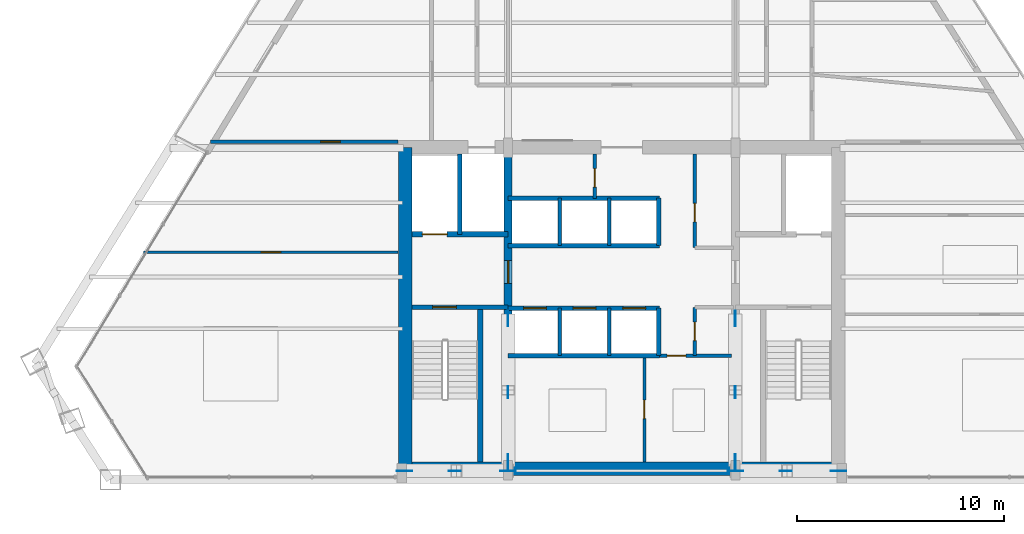
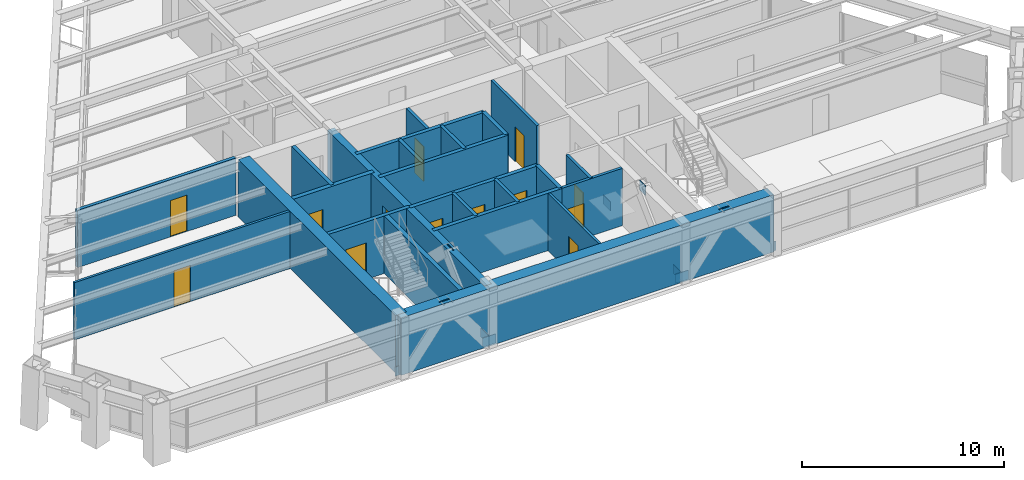
# One storey, part 8 of 12: 24 walls, 13 doors, 12 plates, 13 openings.
"""IFC4 building model written with IfcOpenShell, lengths in metres."""

from ifc_helpers import new_model, si_unit, direction, frame, frame_2d, origin, origin_2d, place, context, subcontext, project, spatial, rectangle, extrude, source, transform, mapped, material, layer, layer_set, type_object, type_shapes, element, fill, save


model = new_model("IFC4")

# Units and contexts
model_context = context("Model", 3, precision=1e-05, world=origin(), true_north=direction((0.0, 1.0)))
body_context = subcontext(model_context, "Body", "Model", "MODEL_VIEW")
ifc_project = project(units=[si_unit("LENGTHUNIT", "METRE"), si_unit("AREAUNIT", "SQUARE_METRE"), si_unit("VOLUMEUNIT", "CUBIC_METRE"), si_unit("PLANEANGLEUNIT", "RADIAN"), si_unit("MASSUNIT", "GRAM", prefix="KILO")], contexts=[model_context])

# Site, building, storey
site_placement = place(None, origin())
site = spatial("IfcSite", under=ifc_project, at=site_placement, CompositionType="ELEMENT")
building_placement = place(site_placement, origin())
building = spatial("IfcBuilding", under=site, at=building_placement, Name="Varnakhor Terracotta Tower", CompositionType="ELEMENT")
storey_placement = place(building_placement, frame((0.0, 0.0, 208.0)))
storey = spatial("IfcBuildingStorey", under=building, at=storey_placement, Name="L53", CompositionType="ELEMENT", Elevation=208.0)

# Plates
ifc_material_1 = material(Name="Steel S460", Category="steel")
ifc_layer_1 = layer(ifc_material_1, 0.050048828125, Name="Steel S460")
ifc_layer_set_1 = layer_set([ifc_layer_1], Name="Steel S460")
plate_type = type_object("IfcPlateType", Name="PLT-GUSSET-50", PredefinedType="USERDEFINED", material=ifc_layer_set_1)
shared_shape_1 = source(origin(), body_context, "Body", "SweptSolid", [
    extrude(rectangle(XDim=0.75, YDim=0.0400390625, at=origin_2d()), origin(), (0.0, 0.0, 1.0), 0.550048828125),
])
type_shapes(plate_type, [shared_shape_1])
for number, where, z_axis, x_axis, name in (
    (1, (-10.5, 0.419921875, -0.09521484375), (0.0, 0.0, 1.0), (1.0, 0.0, 0.0), "L53 Core Brace Embed Plate CSWA"),
    (2, (-5.5, 0.419921875, -0.09521484375), (0.0, 0.0, 1.0), (1.0, 0.0, 0.0), "L53 Core Brace Embed Plate CSWB"),
    (3, (5.5, 0.419921875, -0.09521484375), (0.0, 0.0, 1.0), (1.0, 0.0, 0.0), "L53 Core Brace Embed Plate CSEA"),
    (4, (10.5, 0.419921875, -0.09521484375), (0.0, 0.0, 1.0), (1.0, 0.0, 0.0), "L53 Core Brace Embed Plate CSEB"),
    (5, (-5.5, 0.85009765625, -0.09521484375), (0.0, 0.0, 1.0), (0.0, 1.0, 0.0), "L53 Core Brace Embed Plate CWWA"),
    (6, (-5.5, 7.800048828125, -0.09521484375), (0.0, 0.0, 1.0), (0.0, 1.0, 0.0), "L53 Core Brace Embed Plate CWWB"),
    (7, (5.5, 0.85009765625, -0.09521484375), (0.0, 0.0, 1.0), (0.0, 1.0, 0.0), "L53 Core Brace Embed Plate CWEA"),
    (8, (5.5, 7.800048828125, -0.09521484375), (0.0, 0.0, 1.0), (0.0, 1.0, 0.0), "L53 Core Brace Embed Plate CWEB"),
):
    element("IfcPlate", number, at=place(storey_placement, frame(where, z_axis=z_axis, x_axis=x_axis)), inside=storey, type_object=plate_type, Name=name, ObjectType="GUSSET PLATE", PredefinedType="USERDEFINED", context=body_context, shape_type="MappedRepresentation", body=[
        mapped(shared_shape_1, transform((0.0, 0.0, 0.0), scale=1.0)),
    ])
shared_shape_2 = source(origin(), body_context, "Body", "SweptSolid", [
    extrude(rectangle(XDim=0.580078125, YDim=0.0400390625, at=origin_2d()), origin(), (0.0, 0.0, 1.0), 0.580078125),
])
for number, where, z_axis, x_axis, name in (
    (9, (-8.072265625, 0.419921875, 2.93408203125), (0.0, 0.0, 1.0), (1.0, 0.0, 0.0), "L53 Brace End Connection Plate 192"),
    (10, (7.927734375, 0.419921875, 2.93408203125), (0.0, 0.0, 1.0), (1.0, 0.0, 0.0), "L53 Brace End Connection Plate 193"),
    (11, (-5.5, 4.23828125, 2.947021484375), (0.0, 0.0, 1.0), (0.0, 1.0, 0.0), "L53 Brace End Connection Plate 194"),
    (12, (5.5, 4.23828125, 2.947021484375), (0.0, 0.0, 1.0), (0.0, 1.0, 0.0), "L53 Brace End Connection Plate 195"),
):
    element("IfcPlate", number, at=place(storey_placement, frame(where, z_axis=z_axis, x_axis=x_axis)), inside=storey, type_object=plate_type, Name=name, ObjectType="GUSSET PLATE", PredefinedType="USERDEFINED", context=body_context, shape_type="MappedRepresentation", body=[
        mapped(shared_shape_2, transform((0.0, 0.0, 0.0), scale=1.0)),
    ])

# Walls
ifc_material_2 = material(Name="Concrete C50/60", Category="concrete")
ifc_layer_2 = layer(ifc_material_2, 0.64990234375, Name="Concrete C50/60")
ifc_layer_set_2 = layer_set([ifc_layer_2], Name="Concrete C50/60")
wall_type_1 = type_object("IfcWallType", Name="WAL-CORE-650", PredefinedType="SHEAR", material=ifc_layer_set_2)
wall_1_placement = place(storey_placement, frame((-10.64990234375, 0.52490234375, 0.0), z_axis=(0.0, 0.0, 1.0), x_axis=(1.0, 0.0, 0.0)))
element("IfcWall", 13, at=wall_1_placement, inside=storey, type_object=wall_type_1, Name="L53 South Core Shear Wall", PredefinedType="SHEAR", context=body_context, shape_type="SweptSolid", body=[
    extrude(rectangle(XDim=21.2998046875, YDim=0.64990234375, at=frame_2d((10.64990234375, 0.0))), origin(), (0.0, 0.0, 1.0), 3.469970703125),
])
wall_2_placement = place(storey_placement, frame((-10.47509765625, 0.52490234375, 0.0), z_axis=(0.0, 0.0, 1.0), x_axis=(0.0, 1.0, 0.0)))
element("IfcWall", 14, at=wall_2_placement, inside=storey, type_object=wall_type_1, Name="L53 West Core Shear Wall", PredefinedType="SHEAR", context=body_context, shape_type="SweptSolid", body=[
    extrude(rectangle(XDim=15.550048828125, YDim=0.64990234375, at=frame_2d((7.77490234375, 0.0))), origin(), (0.0, 0.0, 1.0), 3.469970703125),
])

# Wall, opening, door
ifc_layer_3 = layer(ifc_material_2, 0.39990234375, Name="Concrete C50/60")
ifc_layer_set_3 = layer_set([ifc_layer_3], Name="Concrete C50/60")
wall_type_2 = type_object("IfcWallType", Name="WAL-CORE-WEB-400", PredefinedType="SHEAR", material=ifc_layer_set_3)
wall_3_placement = place(storey_placement, frame((-5.5, 0.52490234375, 0.0), z_axis=(0.0, 0.0, 1.0), x_axis=(0.0, 1.0, 0.0)))
wall_3 = element("IfcWall", 15, at=wall_3_placement, inside=storey, type_object=wall_type_2, Name="L53 West Core Web Shear Wall", PredefinedType="SHEAR", context=body_context, shape_type="SweptSolid", body=[
    extrude(rectangle(XDim=15.550048828125, YDim=0.39990234375, at=frame_2d((7.77490234375, 0.0))), origin(), (0.0, 0.0, 1.0), 3.469970703125),
])
opening_1_placement = place(wall_3_placement, frame((8.97509765625, 0.0, 0.0)))
opening_1 = element("IfcOpeningElement", 16, at=opening_1_placement, cuts=wall_3, Name="Opening DR-25", PredefinedType="OPENING", context=body_context, shape_type="SweptSolid", body=[
    extrude(rectangle(XDim=1.10009765625, YDim=2.199951171875, at=frame_2d((0.550048828125, 1.10009765625))), frame((0.0, 0.2099609375, 0.0), z_axis=(0.0, -1.0, 0.0), x_axis=(1.0, 0.0, 0.0)), (0.0, 0.0, 1.0), 0.419921875),
])
ifc_material_3 = material(Name="Firefighting Lobby Self-Closing Fire Door", Category="steel")
door_type_1 = type_object("IfcDoorType", Name="DR-FFL-1100X2200", OperationType="NOTDEFINED", PredefinedType="DOOR", material=ifc_material_3)
shared_shape_3 = source(origin(), body_context, "Body", "SweptSolid", [
    extrude(rectangle(XDim=1.10009765625, YDim=2.199951171875, at=frame_2d((0.550048828125, 1.10009765625))), frame((0.0, 0.02490234375, 0.0), z_axis=(0.0, -1.0, 0.0), x_axis=(1.0, 0.0, 0.0)), (0.0, 0.0, 1.0), 0.050048828125),
])
type_shapes(door_type_1, [shared_shape_3])
door_1_placement = place(opening_1_placement, origin())
door_1 = element("IfcDoor", 17, at=door_1_placement, inside=storey, type_object=door_type_1, Name="L53 West Firefighting Lobby Door", OperationType="SINGLE_SWING_LEFT", OverallHeight=2.199951171875, OverallWidth=1.10009765625, PredefinedType="DOOR", context=body_context, shape_type="MappedRepresentation", body=[
    mapped(shared_shape_3, transform((0.0, 0.0, 0.0), scale=1.0)),
])
fill(opening_1, door_1)

ifc_material_4 = material(Name="Fire-Rated Gypsum Stud Partition", Category="gypsum")
ifc_layer_4 = layer(ifc_material_4, 0.18505859375, Name="Fire-Rated Gypsum Stud Partition")
ifc_layer_set_4 = layer_set([ifc_layer_4], Name="Fire-Rated Gypsum Stud Partition")
wall_type_3 = type_object("IfcWallType", Name="WAL-CORR-185", PredefinedType="PARTITIONING", material=ifc_layer_set_4)
wall_4_placement = place(storey_placement, frame((-19.88671875, 16.35009765625, 0.0), z_axis=(0.0, 0.0, 1.0), x_axis=(1.0, 0.0, 0.0)))
wall_4 = element("IfcWall", 18, at=wall_4_placement, inside=storey, type_object=wall_type_3, Name="L53 South West Entry Wall", PredefinedType="PARTITIONING", context=body_context, shape_type="SweptSolid", body=[
    extrude(rectangle(XDim=9.066650390625, YDim=0.18505859375, at=frame_2d((4.533203125, 0.0))), origin(), (0.0, 0.0, 1.0), 3.4619140625),
])
opening_2_placement = place(wall_4_placement, frame((5.31640625, 0.0, 0.0)))
opening_2 = element("IfcOpeningElement", 19, at=opening_2_placement, cuts=wall_4, Name="Opening DR-94", PredefinedType="OPENING", context=body_context, shape_type="SweptSolid", body=[
    extrude(rectangle(XDim=0.949951171875, YDim=2.199951171875, at=frame_2d((0.47509765625, 1.10009765625))), frame((0.0, 0.1025390625, 0.0), z_axis=(0.0, -1.0, 0.0), x_axis=(1.0, 0.0, 0.0)), (0.0, 0.0, 1.0), 0.205078125),
])
ifc_material_5 = material(Name="Acoustic Glazed-Vision Timber Office Door", Category="wood")
door_type_2 = type_object("IfcDoorType", Name="DR-OFF-950X2200", OperationType="NOTDEFINED", PredefinedType="DOOR", material=ifc_material_5)
shared_shape_4 = source(origin(), body_context, "Body", "SweptSolid", [
    extrude(rectangle(XDim=0.949951171875, YDim=2.199951171875, at=frame_2d((0.47509765625, 1.10009765625))), frame((0.0, 0.02490234375, 0.0), z_axis=(0.0, -1.0, 0.0), x_axis=(1.0, 0.0, 0.0)), (0.0, 0.0, 1.0), 0.050048828125),
])
type_shapes(door_type_2, [shared_shape_4])
door_2_placement = place(opening_2_placement, origin())
door_2 = element("IfcDoor", 20, at=door_2_placement, inside=storey, type_object=door_type_2, Name="L53 SW Suite Door", OperationType="SINGLE_SWING_RIGHT", OverallHeight=2.199951171875, OverallWidth=0.949951171875, PredefinedType="DOOR", context=body_context, shape_type="MappedRepresentation", body=[
    mapped(shared_shape_4, transform((0.0, 0.0, 0.0), scale=1.0)),
])
fill(opening_2, door_2)

ifc_material_6 = material(Name="Concrete C40/50", Category="concrete")
ifc_layer_5 = layer(ifc_material_6, 0.219970703125, Name="Concrete C40/50")
ifc_layer_set_5 = layer_set([ifc_layer_5], Name="Concrete C40/50")
wall_type_4 = type_object("IfcWallType", Name="WAL-FFLOBBY-220", PredefinedType="SOLIDWALL", material=ifc_layer_set_5)
wall_5_placement = place(storey_placement, frame((-5.5, 8.35009765625, 0.0), z_axis=(0.0, 0.0, 1.0), x_axis=(-1.0, 0.0, 0.0)))
wall_5 = element("IfcWall", 21, at=wall_5_placement, inside=storey, type_object=wall_type_4, Name="L53 West Firefighting Lobby Stair Wall", PredefinedType="SOLIDWALL", context=body_context, shape_type="SweptSolid", body=[
    extrude(rectangle(XDim=4.64990234375, YDim=0.219970703125, at=frame_2d((2.324951171875, 0.0))), origin(), (0.0, 0.0, 1.0), 3.469970703125),
])
opening_3_placement = place(wall_5_placement, frame((2.5, 0.0, 0.0)))
opening_3 = element("IfcOpeningElement", 22, at=opening_3_placement, cuts=wall_5, Name="Opening DR-34", PredefinedType="OPENING", context=body_context, shape_type="SweptSolid", body=[
    extrude(rectangle(XDim=1.14990234375, YDim=2.199951171875, at=frame_2d((0.574951171875, 1.10009765625))), frame((0.0, 0.1201171875, 0.0), z_axis=(0.0, -1.0, 0.0), x_axis=(1.0, 0.0, 0.0)), (0.0, 0.0, 1.0), 0.239990234375),
])
ifc_material_7 = material(Name="Self-Closing Smoke-Sealed Steel Fire Door", Category="steel")
door_type_3 = type_object("IfcDoorType", Name="DR-STAIR-1150X2200", OperationType="NOTDEFINED", PredefinedType="DOOR", material=ifc_material_7)
shared_shape_5 = source(origin(), body_context, "Body", "SweptSolid", [
    extrude(rectangle(XDim=1.14990234375, YDim=2.199951171875, at=frame_2d((0.574951171875, 1.10009765625))), frame((0.0, 0.02490234375, 0.0), z_axis=(0.0, -1.0, 0.0), x_axis=(1.0, 0.0, 0.0)), (0.0, 0.0, 1.0), 0.050048828125),
])
type_shapes(door_type_3, [shared_shape_5])
door_3_placement = place(opening_3_placement, origin())
door_3 = element("IfcDoor", 23, at=door_3_placement, inside=storey, type_object=door_type_3, Name="L53 Exit Stair ST-1 Fire Door", OperationType="SINGLE_SWING_RIGHT", OverallHeight=2.199951171875, OverallWidth=1.14990234375, PredefinedType="DOOR", context=body_context, shape_type="MappedRepresentation", body=[
    mapped(shared_shape_5, transform((0.0, 0.0, 0.0), scale=1.0)),
])
fill(opening_3, door_3)

ifc_material_8 = material(Name="Acoustic Metal-Stud Partition", Category="gypsum")
ifc_layer_6 = layer(ifc_material_8, 0.139892578125, Name="Acoustic Metal-Stud Partition")
ifc_layer_set_6 = layer_set([ifc_layer_6], Name="Acoustic Metal-Stud Partition")
wall_type_5 = type_object("IfcWallType", Name="WAL-PART-140", PredefinedType="PARTITIONING", material=ifc_layer_set_6)
wall_6_placement = place(storey_placement, frame((-23.134521484375, 11.0, 0.0), z_axis=(0.0, 0.0, 1.0), x_axis=(1.0, 0.0, 0.0)))
wall_6 = element("IfcWall", 24, at=wall_6_placement, inside=storey, type_object=wall_type_5, Name="L53 West Wing Cut 1", PredefinedType="PARTITIONING", context=body_context, shape_type="SweptSolid", body=[
    extrude(rectangle(XDim=12.314453125, YDim=0.139892578125, at=frame_2d((6.1572265625, 0.0))), origin(), (0.0, 0.0, 1.0), 3.4619140625),
])
opening_4_placement = place(wall_6_placement, frame((5.68701171875, 0.0, 0.0)))
opening_4 = element("IfcOpeningElement", 25, at=opening_4_placement, cuts=wall_6, Name="Opening DR-94", PredefinedType="OPENING", context=body_context, shape_type="SweptSolid", body=[
    extrude(rectangle(XDim=0.949951171875, YDim=2.199951171875, at=frame_2d((0.47509765625, 1.10009765625))), frame((0.0, 0.080078125, 0.0), z_axis=(0.0, -1.0, 0.0), x_axis=(1.0, 0.0, 0.0)), (0.0, 0.0, 1.0), 0.159912109375),
])
door_4_placement = place(opening_4_placement, origin())
door_4 = element("IfcDoor", 26, at=door_4_placement, inside=storey, type_object=door_type_2, Name="L53 Counsel Study Room Door", OperationType="SINGLE_SWING_RIGHT", OverallHeight=2.199951171875, OverallWidth=0.949951171875, PredefinedType="DOOR", context=body_context, shape_type="MappedRepresentation", body=[
    mapped(shared_shape_4, transform((0.0, 0.0, 0.0), scale=1.0)),
])
fill(opening_4, door_4)

# Walls
ifc_layer_7 = layer(ifc_material_6, 0.179931640625, Name="Concrete C40/50")
ifc_layer_set_7 = layer_set([ifc_layer_7], Name="Concrete C40/50")
wall_type_6 = type_object("IfcWallType", Name="WAL-SHAFT-180", PredefinedType="SOLIDWALL", material=ifc_layer_set_7)
for number, where, z_axis, x_axis, name in (
    (27, (-3.0, 6.0, 0.0), (0.0, 0.0, 1.0), (0.0, 1.0, 0.0), "L53 PL-2A Divider"),
    (28, (-0.60009765625, 6.0, 0.0), (0.0, 0.0, 1.0), (0.0, 1.0, 0.0), "L53 PL-2B Divider"),
    (29, (-3.0, 11.320068359375, 0.0), (0.0, 0.0, 1.0), (0.0, 1.0, 0.0), "L53 PL-3A Divider"),
    (30, (-0.60009765625, 11.320068359375, 0.0), (0.0, 0.0, 1.0), (0.0, 1.0, 0.0), "L53 PL-3B Divider"),
):
    element("IfcWall", number, at=place(storey_placement, frame(where, z_axis=z_axis, x_axis=x_axis)), inside=storey, type_object=wall_type_6, Name=name, PredefinedType="SOLIDWALL", context=body_context, shape_type="SweptSolid", body=[
        extrude(rectangle(XDim=2.300048828125, YDim=0.179931640625, at=frame_2d((1.14990234375, 0.0))), origin(), (0.0, 0.0, 1.0), 3.469970703125),
    ])
ifc_layer_8 = layer(ifc_material_6, 0.219970703125, Name="Concrete C40/50")
ifc_layer_set_8 = layer_set([ifc_layer_8], Name="Concrete C40/50")
wall_type_7 = type_object("IfcWallType", Name="WAL-SHAFT-220", PredefinedType="SOLIDWALL", material=ifc_layer_set_8)
wall_7_placement = place(storey_placement, frame((-7.840087890625, 11.8701171875, 0.0), z_axis=(0.0, 0.0, 1.0), x_axis=(0.0, 1.0, 0.0)))
element("IfcWall", 31, at=wall_7_placement, inside=storey, type_object=wall_type_7, Name="L53 Lift FFL-1 and SVL-1 Divider Wall", PredefinedType="SOLIDWALL", context=body_context, shape_type="SweptSolid", body=[
    extrude(rectangle(XDim=3.8798828125, YDim=0.219970703125, at=frame_2d((1.93994140625, 0.0))), origin(), (0.0, 0.0, 1.0), 3.469970703125),
])
wall_8_placement = place(storey_placement, frame((-5.5, 6.0, 0.0), z_axis=(0.0, 0.0, 1.0), x_axis=(1.0, 0.0, 0.0)))
element("IfcWall", 32, at=wall_8_placement, inside=storey, type_object=wall_type_7, Name="L53 Bank 2 South Shaft Wall", PredefinedType="SOLIDWALL", context=body_context, shape_type="SweptSolid", body=[
    extrude(rectangle(XDim=7.320068359375, YDim=0.219970703125, at=frame_2d((3.66015625, 0.0))), origin(), (0.0, 0.0, 1.0), 3.469970703125),
])

# Wall, openings, doors
wall_9_placement = place(storey_placement, frame((-5.5, 8.300048828125, 0.0), z_axis=(0.0, 0.0, 1.0), x_axis=(1.0, 0.0, 0.0)))
wall_9 = element("IfcWall", 33, at=wall_9_placement, inside=storey, type_object=wall_type_7, Name="L53 Bank 2 North Shaft Wall", PredefinedType="SOLIDWALL", context=body_context, shape_type="SweptSolid", body=[
    extrude(rectangle(XDim=7.320068359375, YDim=0.219970703125, at=frame_2d((3.66015625, 0.0))), origin(), (0.0, 0.0, 1.0), 3.469970703125),
])
opening_5_placement = place(wall_9_placement, frame((0.75, 0.0, 0.0)))
opening_5 = element("IfcOpeningElement", 34, at=opening_5_placement, cuts=wall_9, Name="Opening LD-01", PredefinedType="OPENING", context=body_context, shape_type="SweptSolid", body=[
    extrude(rectangle(XDim=1.10009765625, YDim=2.199951171875, at=frame_2d((0.550048828125, 1.10009765625))), frame((0.0, 0.1201171875, 0.0), z_axis=(0.0, -1.0, 0.0), x_axis=(1.0, 0.0, 0.0)), (0.0, 0.0, 1.0), 0.239990234375),
])
opening_6_placement = place(wall_9_placement, frame((3.14990234375, 0.0, 0.0)))
opening_6 = element("IfcOpeningElement", 35, at=opening_6_placement, cuts=wall_9, Name="Opening LD-01", PredefinedType="OPENING", context=body_context, shape_type="SweptSolid", body=[
    extrude(rectangle(XDim=1.10009765625, YDim=2.199951171875, at=frame_2d((0.550048828125, 1.10009765625))), frame((0.0, 0.1201171875, 0.0), z_axis=(0.0, -1.0, 0.0), x_axis=(1.0, 0.0, 0.0)), (0.0, 0.0, 1.0), 0.239990234375),
])
opening_7_placement = place(wall_9_placement, frame((5.550048828125, 0.0, 0.0)))
opening_7 = element("IfcOpeningElement", 36, at=opening_7_placement, cuts=wall_9, Name="Opening LD-01", PredefinedType="OPENING", context=body_context, shape_type="SweptSolid", body=[
    extrude(rectangle(XDim=1.10009765625, YDim=2.199951171875, at=frame_2d((0.550048828125, 1.10009765625))), frame((0.0, 0.1201171875, 0.0), z_axis=(0.0, -1.0, 0.0), x_axis=(1.0, 0.0, 0.0)), (0.0, 0.0, 1.0), 0.239990234375),
])
ifc_material_9 = material(Name="Brushed Stainless Steel Sliding Lift Landing Door", Category="steel")
door_type_4 = type_object("IfcDoorType", Name="LD-PASS-1100X2200", OperationType="NOTDEFINED", PredefinedType="DOOR", material=ifc_material_9)
shared_shape_6 = source(origin(), body_context, "Body", "SweptSolid", [
    extrude(rectangle(XDim=1.10009765625, YDim=2.199951171875, at=frame_2d((0.550048828125, 1.10009765625))), frame((0.0, 0.02490234375, 0.0), z_axis=(0.0, -1.0, 0.0), x_axis=(1.0, 0.0, 0.0)), (0.0, 0.0, 1.0), 0.050048828125),
])
type_shapes(door_type_4, [shared_shape_6])
door_5_placement = place(opening_5_placement, origin())
door_5 = element("IfcDoor", 37, at=door_5_placement, inside=storey, type_object=door_type_4, Name="L53 Passenger Lift PL-2A Landing Door", OperationType="SLIDING_TO_LEFT", OverallHeight=2.199951171875, OverallWidth=1.10009765625, PredefinedType="DOOR", context=body_context, shape_type="MappedRepresentation", body=[
    mapped(shared_shape_6, transform((0.0, 0.0, 0.0), scale=1.0)),
])
fill(opening_5, door_5)
door_6_placement = place(opening_6_placement, origin())
door_6 = element("IfcDoor", 38, at=door_6_placement, inside=storey, type_object=door_type_4, Name="L53 Passenger Lift PL-2B Landing Door", OperationType="SLIDING_TO_LEFT", OverallHeight=2.199951171875, OverallWidth=1.10009765625, PredefinedType="DOOR", context=body_context, shape_type="MappedRepresentation", body=[
    mapped(shared_shape_6, transform((0.0, 0.0, 0.0), scale=1.0)),
])
fill(opening_6, door_6)
door_7_placement = place(opening_7_placement, origin())
door_7 = element("IfcDoor", 39, at=door_7_placement, inside=storey, type_object=door_type_4, Name="L53 Passenger Lift PL-2C Landing Door", OperationType="SLIDING_TO_LEFT", OverallHeight=2.199951171875, OverallWidth=1.10009765625, PredefinedType="DOOR", context=body_context, shape_type="MappedRepresentation", body=[
    mapped(shared_shape_6, transform((0.0, 0.0, 0.0), scale=1.0)),
])
fill(opening_7, door_7)

# Walls
wall_10_placement = place(storey_placement, frame((1.800048828125, 6.0, 0.0), z_axis=(0.0, 0.0, 1.0), x_axis=(0.0, 1.0, 0.0)))
element("IfcWall", 40, at=wall_10_placement, inside=storey, type_object=wall_type_7, Name="L53 Bank 2 East Shaft Wall", PredefinedType="SOLIDWALL", context=body_context, shape_type="SweptSolid", body=[
    extrude(rectangle(XDim=2.300048828125, YDim=0.219970703125, at=frame_2d((1.14990234375, 0.0))), origin(), (0.0, 0.0, 1.0), 3.469970703125),
])
for number, where, z_axis, x_axis, name in (
    (41, (-5.5, 11.320068359375, 0.0), (0.0, 0.0, 1.0), (1.0, 0.0, 0.0), "L53 Bank 3 South Shaft Wall"),
    (42, (-5.5, 13.6201171875, 0.0), (0.0, 0.0, 1.0), (1.0, 0.0, 0.0), "L53 Bank 3 North Shaft Wall"),
):
    element("IfcWall", number, at=place(storey_placement, frame(where, z_axis=z_axis, x_axis=x_axis)), inside=storey, type_object=wall_type_7, Name=name, PredefinedType="SOLIDWALL", context=body_context, shape_type="SweptSolid", body=[
        extrude(rectangle(XDim=7.320068359375, YDim=0.219970703125, at=frame_2d((3.66015625, 0.0))), origin(), (0.0, 0.0, 1.0), 3.469970703125),
    ])
wall_11_placement = place(storey_placement, frame((1.800048828125, 11.320068359375, 0.0), z_axis=(0.0, 0.0, 1.0), x_axis=(0.0, 1.0, 0.0)))
element("IfcWall", 43, at=wall_11_placement, inside=storey, type_object=wall_type_7, Name="L53 Bank 3 East Shaft Wall", PredefinedType="SOLIDWALL", context=body_context, shape_type="SweptSolid", body=[
    extrude(rectangle(XDim=2.300048828125, YDim=0.219970703125, at=frame_2d((1.14990234375, 0.0))), origin(), (0.0, 0.0, 1.0), 3.469970703125),
])
ifc_layer_9 = layer(ifc_material_6, 0.25, Name="Concrete C40/50")
ifc_layer_set_9 = layer_set([ifc_layer_9], Name="Concrete C40/50")
wall_type_8 = type_object("IfcWallType", Name="WAL-SHAFT-250", PredefinedType="SOLIDWALL", material=ifc_layer_set_9)
wall_12_placement = place(storey_placement, frame((-6.85009765625, 0.85009765625, 0.0), z_axis=(0.0, 0.0, 1.0), x_axis=(0.0, 1.0, 0.0)))
element("IfcWall", 44, at=wall_12_placement, inside=storey, type_object=wall_type_8, Name="L53 Stair ST-1 Bearing Shaft Wall", PredefinedType="SOLIDWALL", context=body_context, shape_type="SweptSolid", body=[
    extrude(rectangle(XDim=7.5, YDim=0.25, at=frame_2d((3.75, 0.0))), origin(), (0.0, 0.0, 1.0), 3.469970703125),
])

# Wall, opening, door
wall_13_placement = place(storey_placement, frame((-5.5, 11.8701171875, 0.0), z_axis=(0.0, 0.0, 1.0), x_axis=(-1.0, 0.0, 0.0)))
wall_13 = element("IfcWall", 45, at=wall_13_placement, inside=storey, type_object=wall_type_8, Name="L53 Lift FFL-1 Shaft Front Wall", PredefinedType="SOLIDWALL", context=body_context, shape_type="SweptSolid", body=[
    extrude(rectangle(XDim=4.64990234375, YDim=0.25, at=frame_2d((2.324951171875, 0.0))), origin(), (0.0, 0.0, 1.0), 3.469970703125),
])
opening_8_placement = place(wall_13_placement, frame((2.949951171875, 0.0, 0.0)))
opening_8 = element("IfcOpeningElement", 46, at=opening_8_placement, cuts=wall_13, Name="Opening LD-02", PredefinedType="OPENING", context=body_context, shape_type="SweptSolid", body=[
    extrude(rectangle(XDim=1.199951171875, YDim=2.25, at=frame_2d((0.60009765625, 1.125))), frame((0.0, 0.135009765625, 0.0), z_axis=(0.0, -1.0, 0.0), x_axis=(1.0, 0.0, 0.0)), (0.0, 0.0, 1.0), 0.27001953125),
])
ifc_material_10 = material(Name="Firefighting Stretcher Sliding Lift Landing Door", Category="steel")
door_type_5 = type_object("IfcDoorType", Name="LD-FFL-1200X2250", OperationType="NOTDEFINED", PredefinedType="DOOR", material=ifc_material_10)
shared_shape_7 = source(origin(), body_context, "Body", "SweptSolid", [
    extrude(rectangle(XDim=1.199951171875, YDim=2.25, at=frame_2d((0.60009765625, 1.125))), frame((0.0, 0.02490234375, 0.0), z_axis=(0.0, -1.0, 0.0), x_axis=(1.0, 0.0, 0.0)), (0.0, 0.0, 1.0), 0.050048828125),
])
type_shapes(door_type_5, [shared_shape_7])
door_8_placement = place(opening_8_placement, origin())
door_8 = element("IfcDoor", 47, at=door_8_placement, inside=storey, type_object=door_type_5, Name="L53 Firefighting Lift FFL-1 Landing Door", OperationType="SLIDING_TO_LEFT", OverallHeight=2.25, OverallWidth=1.199951171875, PredefinedType="DOOR", context=body_context, shape_type="MappedRepresentation", body=[
    mapped(shared_shape_7, transform((0.0, 0.0, 0.0), scale=1.0)),
])
fill(opening_8, door_8)

ifc_material_11 = material(Name="Acoustic Fire-Rated Partition", Category="gypsum")
ifc_layer_10 = layer(ifc_material_11, 0.139892578125, Name="Acoustic Fire-Rated Partition")
ifc_layer_set_10 = layer_set([ifc_layer_10], Name="Acoustic Fire-Rated Partition")
wall_type_9 = type_object("IfcWallType", Name="WAL-TENANCY-140", PredefinedType="PARTITIONING", material=ifc_layer_set_10)
wall_14_placement = place(storey_placement, frame((1.10009765625, 0.85009765625, 0.0), z_axis=(0.0, 0.0, 1.0), x_axis=(0.0, 1.0, 0.0)))
wall_14 = element("IfcWall", 48, at=wall_14_placement, inside=storey, type_object=wall_type_9, Name="L53 Reclaimed Core Bay Split Wall", PredefinedType="PARTITIONING", context=body_context, shape_type="SweptSolid", body=[
    extrude(rectangle(XDim=5.02978515625, YDim=0.139892578125, at=frame_2d((2.514892578125, 0.0))), origin(), (0.0, 0.0, 1.0), 3.4619140625),
])
opening_9_placement = place(wall_14_placement, frame((2.10009765625, 0.0, 0.0)))
opening_9 = element("IfcOpeningElement", 49, at=opening_9_placement, cuts=wall_14, Name="Opening DR-67", PredefinedType="OPENING", context=body_context, shape_type="SweptSolid", body=[
    extrude(rectangle(XDim=0.89990234375, YDim=2.10009765625, at=frame_2d((0.449951171875, 1.050048828125))), frame((0.0, 0.080078125, 0.0), z_axis=(0.0, -1.0, 0.0), x_axis=(1.0, 0.0, 0.0)), (0.0, 0.0, 1.0), 0.159912109375),
])
ifc_material_12 = material(Name="Steel Service Riser Fire Door", Category="steel")
door_type_6 = type_object("IfcDoorType", Name="DR-RISER-900X2100", OperationType="NOTDEFINED", PredefinedType="DOOR", material=ifc_material_12)
shared_shape_8 = source(origin(), body_context, "Body", "SweptSolid", [
    extrude(rectangle(XDim=0.89990234375, YDim=2.10009765625, at=frame_2d((0.449951171875, 1.050048828125))), frame((0.0, 0.02490234375, 0.0), z_axis=(0.0, -1.0, 0.0), x_axis=(1.0, 0.0, 0.0)), (0.0, 0.0, 1.0), 0.050048828125),
])
type_shapes(door_type_6, [shared_shape_8])
door_9_placement = place(opening_9_placement, origin())
door_9 = element("IfcDoor", 50, at=door_9_placement, inside=storey, type_object=door_type_6, Name="L53 Core Inner Service Door", OperationType="SINGLE_SWING_LEFT", OverallHeight=2.10009765625, OverallWidth=0.89990234375, PredefinedType="DOOR", context=body_context, shape_type="MappedRepresentation", body=[
    mapped(shared_shape_8, transform((0.0, 0.0, 0.0), scale=1.0)),
])
fill(opening_9, door_9)

ifc_layer_11 = layer(ifc_material_11, 0.1650390625, Name="Acoustic Fire-Rated Partition")
ifc_layer_set_11 = layer_set([ifc_layer_11], Name="Acoustic Fire-Rated Partition")
wall_type_10 = type_object("IfcWallType", Name="WAL-TENANCY-165", PredefinedType="PARTITIONING", material=ifc_layer_set_11)
wall_15_placement = place(storey_placement, frame((1.820068359375, 6.0, 0.0), z_axis=(0.0, 0.0, 1.0), x_axis=(1.0, 0.0, 0.0)))
wall_15 = element("IfcWall", 51, at=wall_15_placement, inside=storey, type_object=wall_type_10, Name="L53 Reclaimed Core Bay North Rated Wall", PredefinedType="PARTITIONING", context=body_context, shape_type="SweptSolid", body=[
    extrude(rectangle(XDim=3.47998046875, YDim=0.1650390625, at=frame_2d((1.739990234375, 0.0))), origin(), (0.0, 0.0, 1.0), 3.4619140625),
])
opening_10_placement = place(wall_15_placement, frame((0.3798828125, 0.0, 0.0)))
opening_10 = element("IfcOpeningElement", 52, at=opening_10_placement, cuts=wall_15, Name="Opening DR-67", PredefinedType="OPENING", context=body_context, shape_type="SweptSolid", body=[
    extrude(rectangle(XDim=0.89990234375, YDim=2.10009765625, at=frame_2d((0.449951171875, 1.050048828125))), frame((0.0, 0.092529296875, 0.0), z_axis=(0.0, -1.0, 0.0), x_axis=(1.0, 0.0, 0.0)), (0.0, 0.0, 1.0), 0.18505859375),
])
door_10_placement = place(opening_10_placement, origin())
door_10 = element("IfcDoor", 53, at=door_10_placement, inside=storey, type_object=door_type_6, Name="L53 Core Reclaimed Suite Door", OperationType="SINGLE_SWING_RIGHT", OverallHeight=2.10009765625, OverallWidth=0.89990234375, PredefinedType="DOOR", context=body_context, shape_type="MappedRepresentation", body=[
    mapped(shared_shape_8, transform((0.0, 0.0, 0.0), scale=1.0)),
])
fill(opening_10, door_10)

wall_16_placement = place(storey_placement, frame((3.5400390625, 6.0, 0.0), z_axis=(0.0, 0.0, 1.0), x_axis=(0.0, 1.0, 0.0)))
wall_16 = element("IfcWall", 54, at=wall_16_placement, inside=storey, type_object=wall_type_10, Name="L53 Accessible WC Rated Wall", PredefinedType="PARTITIONING", context=body_context, shape_type="SweptSolid", body=[
    extrude(rectangle(XDim=2.340087890625, YDim=0.1650390625, at=frame_2d((1.169921875, 0.0))), origin(), (0.0, 0.0, 1.0), 3.4619140625),
])
opening_11_placement = place(wall_16_placement, frame((0.719970703125, 0.0, 0.0)))
opening_11 = element("IfcOpeningElement", 55, at=opening_11_placement, cuts=wall_16, Name="Opening DR-67", PredefinedType="OPENING", context=body_context, shape_type="SweptSolid", body=[
    extrude(rectangle(XDim=0.89990234375, YDim=2.10009765625, at=frame_2d((0.449951171875, 1.050048828125))), frame((0.0, 0.092529296875, 0.0), z_axis=(0.0, -1.0, 0.0), x_axis=(1.0, 0.0, 0.0)), (0.0, 0.0, 1.0), 0.18505859375),
])
door_11_placement = place(opening_11_placement, origin())
door_11 = element("IfcDoor", 56, at=door_11_placement, inside=storey, type_object=door_type_6, Name="L53 Accessible WC Door", OperationType="SINGLE_SWING_RIGHT", OverallHeight=2.10009765625, OverallWidth=0.89990234375, PredefinedType="DOOR", context=body_context, shape_type="MappedRepresentation", body=[
    mapped(shared_shape_8, transform((0.0, 0.0, 0.0), scale=1.0)),
])
fill(opening_11, door_11)

wall_17_placement = place(storey_placement, frame((-1.300048828125, 13.60009765625, 0.0), z_axis=(0.0, 0.0, 1.0), x_axis=(0.0, 1.0, 0.0)))
wall_17 = element("IfcWall", 57, at=wall_17_placement, inside=storey, type_object=wall_type_10, Name="L53 Male Restroom Wall", PredefinedType="PARTITIONING", context=body_context, shape_type="SweptSolid", body=[
    extrude(rectangle(XDim=2.14990234375, YDim=0.1650390625, at=frame_2d((1.074951171875, 0.0))), origin(), (0.0, 0.0, 1.0), 3.4619140625),
])
opening_12_placement = place(wall_17_placement, frame((0.550048828125, 0.0, 0.0)))
opening_12 = element("IfcOpeningElement", 58, at=opening_12_placement, cuts=wall_17, Name="Opening DR-67", PredefinedType="OPENING", context=body_context, shape_type="SweptSolid", body=[
    extrude(rectangle(XDim=0.89990234375, YDim=2.10009765625, at=frame_2d((0.449951171875, 1.050048828125))), frame((0.0, 0.092529296875, 0.0), z_axis=(0.0, -1.0, 0.0), x_axis=(1.0, 0.0, 0.0)), (0.0, 0.0, 1.0), 0.18505859375),
])
door_12_placement = place(opening_12_placement, origin())
door_12 = element("IfcDoor", 59, at=door_12_placement, inside=storey, type_object=door_type_6, Name="L53 Male WC Door", OperationType="SINGLE_SWING_LEFT", OverallHeight=2.10009765625, OverallWidth=0.89990234375, PredefinedType="DOOR", context=body_context, shape_type="MappedRepresentation", body=[
    mapped(shared_shape_8, transform((0.0, 0.0, 0.0), scale=1.0)),
])
fill(opening_12, door_12)

wall_18_placement = place(storey_placement, frame((3.5400390625, 11.219970703125, 0.0), z_axis=(0.0, 0.0, 1.0), x_axis=(0.0, 1.0, 0.0)))
wall_18 = element("IfcWall", 60, at=wall_18_placement, inside=storey, type_object=wall_type_10, Name="L53 Restroom Corridor Wall", PredefinedType="PARTITIONING", context=body_context, shape_type="SweptSolid", body=[
    extrude(rectangle(XDim=4.530029296875, YDim=0.1650390625, at=frame_2d((2.26513671875, 0.0))), origin(), (0.0, 0.0, 1.0), 3.4619140625),
])
opening_13_placement = place(wall_18_placement, frame((1.25, 0.0, 0.0)))
opening_13 = element("IfcOpeningElement", 61, at=opening_13_placement, cuts=wall_18, Name="Opening DR-67", PredefinedType="OPENING", context=body_context, shape_type="SweptSolid", body=[
    extrude(rectangle(XDim=0.89990234375, YDim=2.10009765625, at=frame_2d((0.449951171875, 1.050048828125))), frame((0.0, 0.092529296875, 0.0), z_axis=(0.0, -1.0, 0.0), x_axis=(1.0, 0.0, 0.0)), (0.0, 0.0, 1.0), 0.18505859375),
])
door_13_placement = place(opening_13_placement, origin())
door_13 = element("IfcDoor", 62, at=door_13_placement, inside=storey, type_object=door_type_6, Name="L53 Female WC Door", OperationType="SINGLE_SWING_RIGHT", OverallHeight=2.10009765625, OverallWidth=0.89990234375, PredefinedType="DOOR", context=body_context, shape_type="MappedRepresentation", body=[
    mapped(shared_shape_8, transform((0.0, 0.0, 0.0), scale=1.0)),
])
fill(opening_13, door_13)

save(model, "model.ifc")
